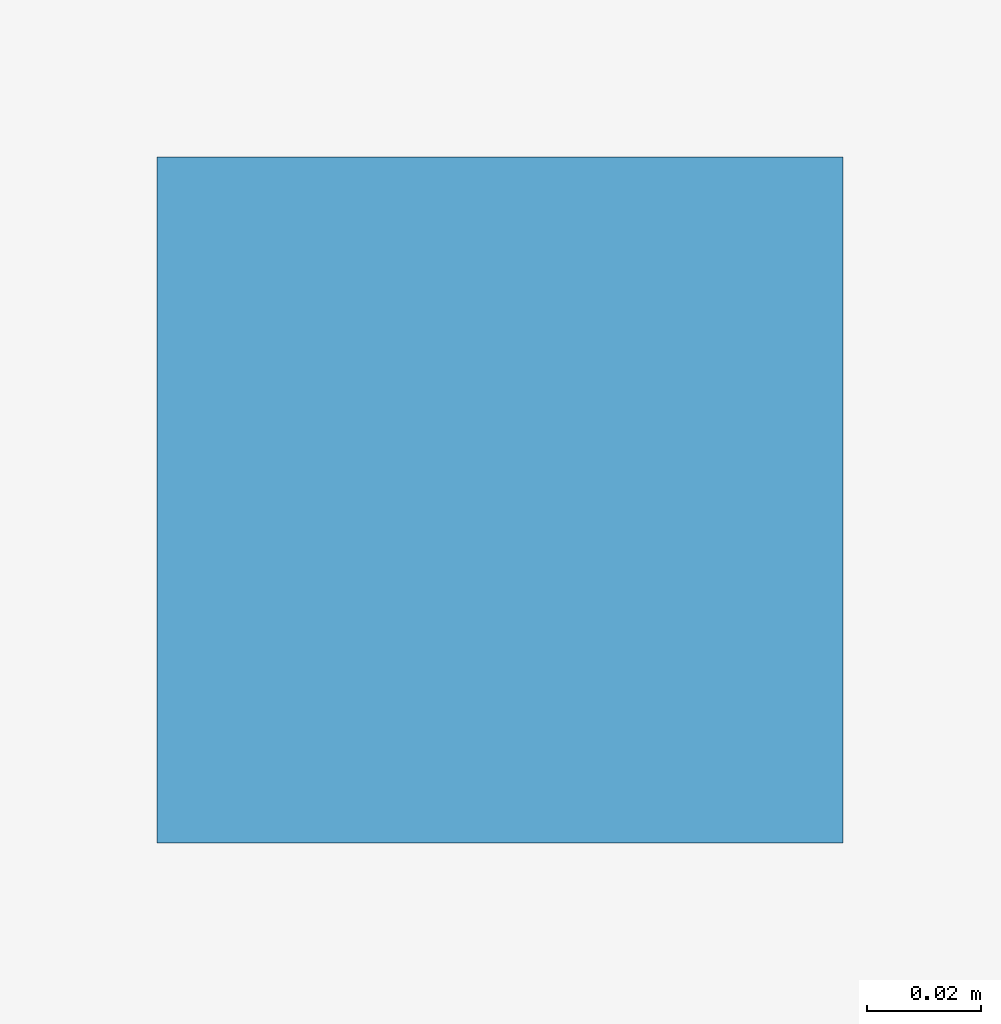
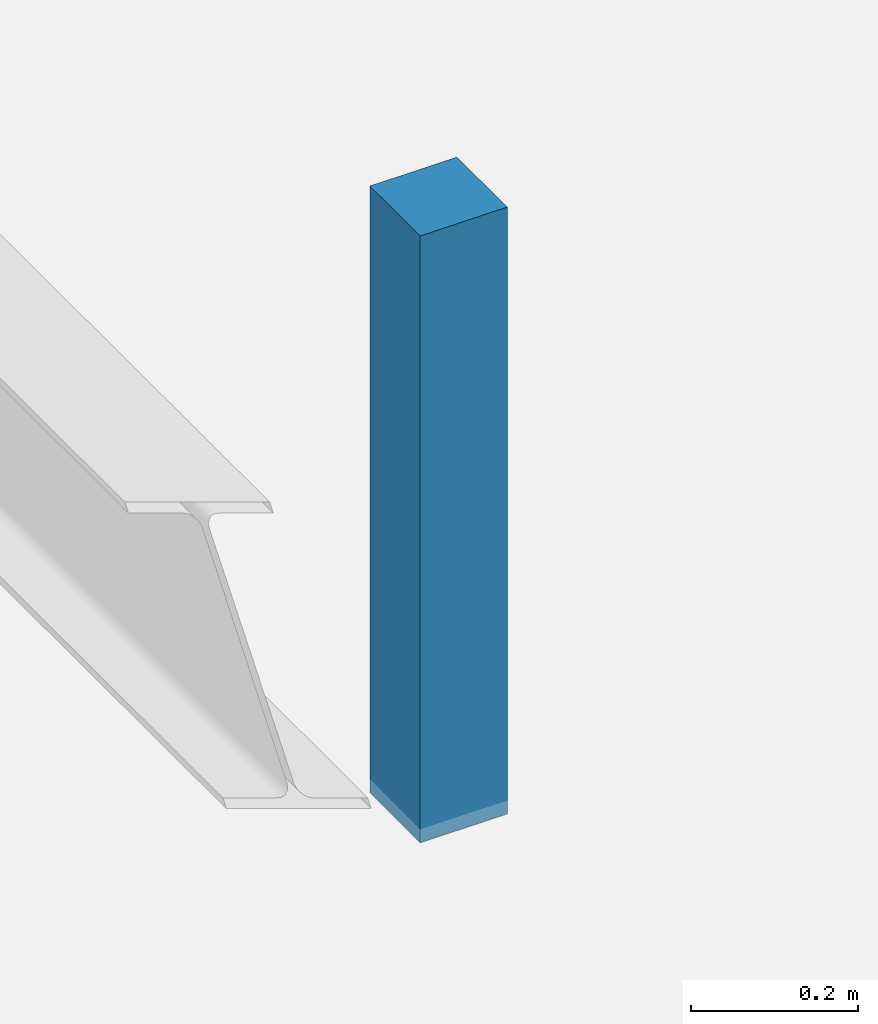
# One storey, part 132 of 134: 1 discrete accessory.
"""IFC4 building model written with IfcOpenShell, lengths in metres."""

from ifc_helpers import new_model, si_unit, derived_unit, direction, frame, origin, origin_2d, place, context, subcontext, project, spatial, rectangle, extrude, material, type_object, element, save


model = new_model("IFC4")

# Units and contexts
model_context = context("Model", 3, precision=1e-05, world=origin(), true_north=direction((0.0, 1.0)))
body_context = subcontext(model_context, "Body", "Model", "MODEL_VIEW")
ifc_project = project(units=[si_unit("LENGTHUNIT", "METRE"), si_unit("AREAUNIT", "SQUARE_METRE"), si_unit("VOLUMEUNIT", "CUBIC_METRE"), si_unit("PLANEANGLEUNIT", "RADIAN"), si_unit("MASSUNIT", "GRAM", prefix="KILO"), derived_unit("THERMALTRANSMITTANCEUNIT", [(si_unit("MASSUNIT", "GRAM", prefix="KILO"), 1), (si_unit("TIMEUNIT", "SECOND"), -3), (si_unit("THERMODYNAMICTEMPERATUREUNIT", "KELVIN"), -1)])], contexts=[model_context])

# Site, building, storey
site_placement = place(None, origin())
site = spatial("IfcSite", under=ifc_project, at=site_placement, CompositionType="ELEMENT")
building_placement = place(site_placement, origin())
building = spatial("IfcBuilding", under=site, at=building_placement, Name="Kharveza Railside Sports Centre", CompositionType="ELEMENT")
storey_placement = place(building_placement, frame((0.0, 0.0, 12.89990234375)))
storey = spatial("IfcBuildingStorey", under=building, at=storey_placement, Name="L03", CompositionType="ELEMENT", Elevation=12.89990234375)

# Discrete accessory
ifc_material = material(Name="Steel S275JR", Category="steel")
discrete_accessory_type = type_object("IfcDiscreteAccessoryType", Name="DA-BK01", PredefinedType="BRACKET", material=ifc_material)
discrete_accessory_placement = place(storey_placement, frame((162.89990234375, 48.60009765625, 3.169921875), z_axis=(0.0, 0.0, 1.0), x_axis=(1.0, 0.0, 0.0)))
element("IfcDiscreteAccessory", 1, at=discrete_accessory_placement, inside=storey, type_object=discrete_accessory_type, Name="BK-COV-CL-COMM", PredefinedType="BRACKET", context=body_context, shape_type="SweptSolid", body=[
    extrude(rectangle(XDim=0.1201171875, YDim=0.1201171875, at=origin_2d()), origin(), (0.0, 0.0, 1.0), 0.885009765625),
])

save(model, "model.ifc")
